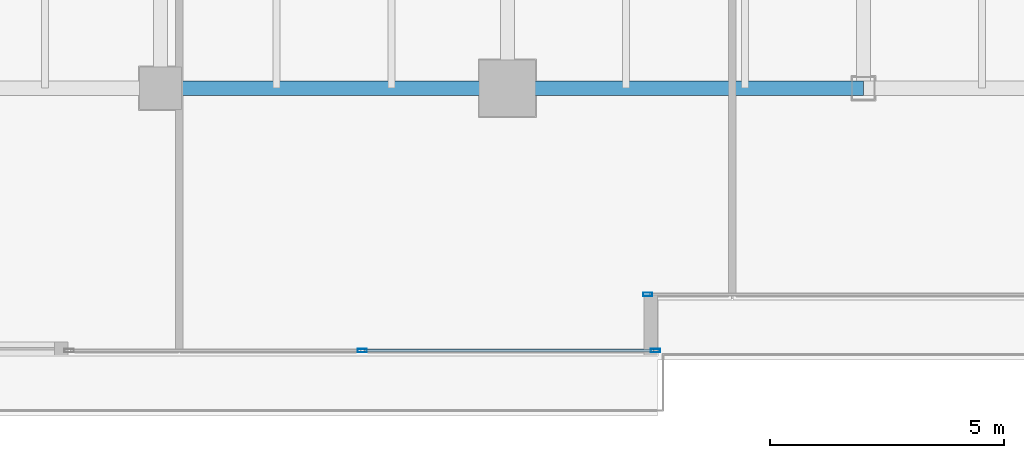
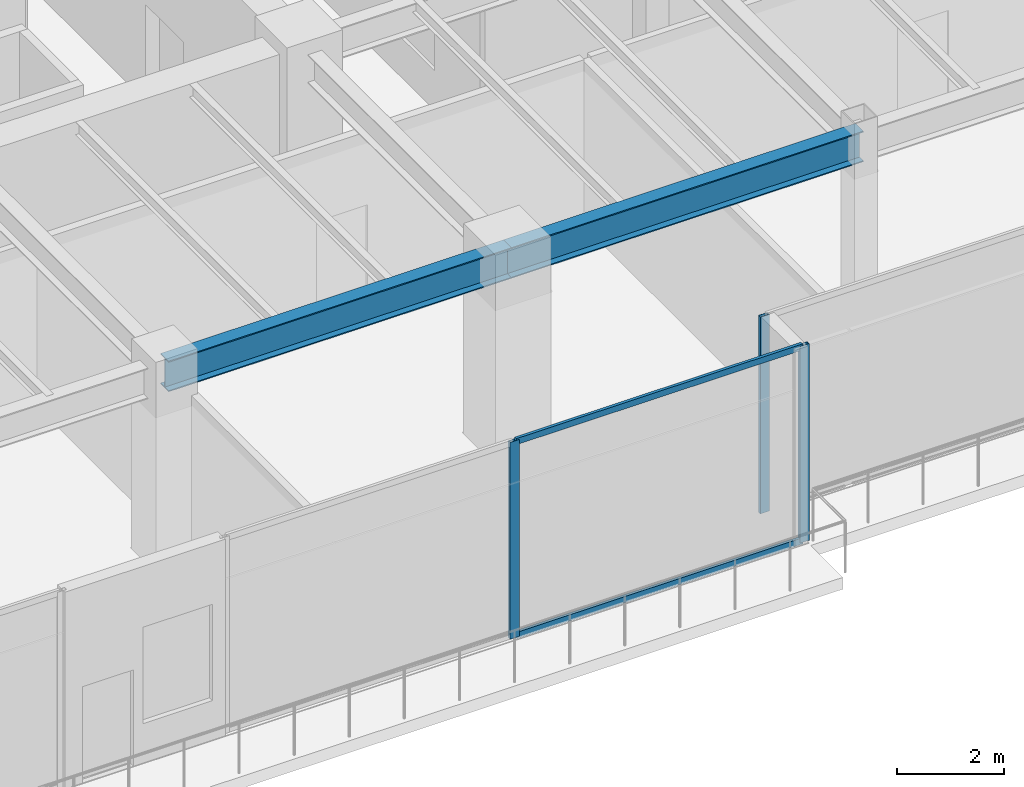
# One storey, part 4 of 33: 5 members, 2 beams, 2 elements without a shape of their own.
"""IFC4 building model written with IfcOpenShell, lengths in metres."""

from ifc_helpers import new_model, si_unit, direction, frame, origin, origin_2d, place, context, subcontext, project, spatial, hollow_rectangle, i_section, extrude, source, transform, mapped, material, layer, layer_set, material_profile, profile_set, type_object, type_shapes, element, aggregate, save


model = new_model("IFC4")

# Units and contexts
model_context = context("Model", 3, precision=1e-05, world=origin(), true_north=direction((0.0, 1.0)))
body_context = subcontext(model_context, "Body", "Model", "MODEL_VIEW")
ifc_project = project(units=[si_unit("LENGTHUNIT", "METRE"), si_unit("AREAUNIT", "SQUARE_METRE"), si_unit("VOLUMEUNIT", "CUBIC_METRE"), si_unit("PLANEANGLEUNIT", "RADIAN"), si_unit("MASSUNIT", "GRAM", prefix="KILO")], contexts=[model_context])

# Site, building, storey
site_placement = place(None, origin())
site = spatial("IfcSite", under=ifc_project, at=site_placement, CompositionType="ELEMENT")
building_placement = place(site_placement, origin())
building = spatial("IfcBuilding", under=site, at=building_placement, Name="Haelvirn Gate Laboratories", CompositionType="ELEMENT")
storey_placement = place(building_placement, frame((0.0, 0.0, 100.300048828125)))
storey = spatial("IfcBuildingStorey", under=building, at=storey_placement, Name="L24", CompositionType="ELEMENT", Elevation=100.300048828125)

# Beams
ifc_material_1 = material(Name="Steel SM355", Category="steel")
ifc_material_profile_1 = material_profile(ifc_material_1, i_section(OverallWidth=0.300048828125, OverallDepth=0.699951171875, WebThickness=0.012939453125, FlangeThickness=0.02392578125, at=origin_2d()), Name="H-700x300x13x24")
ifc_profile_set_1 = profile_set([ifc_material_profile_1], Name="Steel SM355")
beam_type = type_object("IfcBeamType", Name="BM-G-700", PredefinedType="BEAM", material=ifc_profile_set_1)
shared_shape_1 = source(origin(), body_context, "Body", "SweptSolid", [
    extrude(i_section(OverallWidth=0.300048828125, OverallDepth=0.699951171875, WebThickness=0.012939453125, FlangeThickness=0.02392578125, at=origin_2d()), origin(), (0.0, 0.0, 1.0), 7.39990234375),
])
beam_1_placement = place(storey_placement, frame((14.800048828125, 7.0, 4.139892578125), z_axis=(1.0, 0.0, 0.0), x_axis=(0.0, 1.0, 0.0)))
element("IfcBeam", 1, at=beam_1_placement, inside=storey, type_object=beam_type, Name="L24 Primary Girder Y7.0 (14.8-22.2)", PredefinedType="BEAM", context=body_context, shape_type="MappedRepresentation", body=[
    mapped(shared_shape_1, transform((0.0, 0.0, 0.0), scale=1.0)),
])
shared_shape_2 = source(origin(), body_context, "Body", "SweptSolid", [
    extrude(i_section(OverallWidth=0.300048828125, OverallDepth=0.699951171875, WebThickness=0.012939453125, FlangeThickness=0.02392578125, at=origin_2d()), origin(), (0.0, 0.0, 1.0), 7.60009765625),
])
type_shapes(beam_type, [shared_shape_1, shared_shape_2])
beam_2_placement = place(storey_placement, frame((22.199951171875, 7.0, 4.139892578125), z_axis=(1.0, 0.0, 0.0), x_axis=(0.0, 1.0, 0.0)))
element("IfcBeam", 2, at=beam_2_placement, inside=storey, type_object=beam_type, Name="L24 Primary Girder Y7.0 (22.2-29.8)", PredefinedType="BEAM", context=body_context, shape_type="MappedRepresentation", body=[
    mapped(shared_shape_2, transform((0.0, 0.0, 0.0), scale=1.0)),
])

# Curtain wall, members
ifc_material_2 = material(Name="Anodised bronze unitised aluminium & triple low-E glass", Category="aluminium")
ifc_layer = layer(ifc_material_2, 0.179931640625, Name="CW-SYS-3")
ifc_layer_set = layer_set([ifc_layer], Name="Anodised bronze unitised aluminium & triple low-E glass")
curtain_wall_type = type_object("IfcCurtainWallType", Name="CW-SYS-3", PredefinedType="NOTDEFINED", material=ifc_layer_set)
curtain_wall_1_placement = place(storey_placement, origin())
curtain_wall_1 = element("IfcCurtainWall", 3, at=curtain_wall_1_placement, inside=storey, type_object=curtain_wall_type, Name="L24 Unitised Curtain Wall CW-L24-P0-E00-2", PredefinedType="NOTDEFINED")
ifc_material_3 = material(Name="Extruded aluminium 6063-T6 (anodised bronze)", Category="aluminium")
ifc_material_profile_2 = material_profile(ifc_material_3, hollow_rectangle(XDim=0.074951171875, YDim=0.199951171875, WallThickness=0.0048828125, at=origin_2d()), Name="CWM-200x75x5")
ifc_profile_set_2 = profile_set([ifc_material_profile_2], Name="Extruded aluminium 6063-T6 (anodised bronze)")
member_type_1 = type_object("IfcMemberType", Name="CWM-T200", PredefinedType="MULLION", material=ifc_profile_set_2)
shared_shape_3 = source(origin(), body_context, "Body", "SweptSolid", [
    extrude(hollow_rectangle(XDim=0.074951171875, YDim=0.199951171875, WallThickness=0.0048828125, at=origin_2d()), origin(), (0.0, 0.0, 1.0), 4.489990234375),
])
type_shapes(member_type_1, [shared_shape_3])
member_1_placement = place(storey_placement, frame((19.10498046875, 1.39990234375, 0.0), z_axis=(0.0, 0.0, 1.0), x_axis=(0.0, 1.0, 0.0)))
member_1 = element("IfcMember", 4, at=member_1_placement, type_object=member_type_1, Name="CW3 mullion 2", PredefinedType="MULLION", context=body_context, shape_type="MappedRepresentation", body=[
    mapped(shared_shape_3, transform((0.0, 0.0, 0.0), scale=1.0)),
])
member_2_placement = place(storey_placement, frame((25.362548828125, 1.39990234375, 0.0), z_axis=(0.0, 0.0, 1.0), x_axis=(0.0, 1.0, 0.0)))
member_2 = element("IfcMember", 5, at=member_2_placement, type_object=member_type_1, Name="CW3 mullion 3", PredefinedType="MULLION", context=body_context, shape_type="MappedRepresentation", body=[
    mapped(shared_shape_3, transform((0.0, 0.0, 0.0), scale=1.0)),
])

# Curtain wall, member
curtain_wall_2_placement = place(storey_placement, origin())
curtain_wall_2 = element("IfcCurtainWall", 6, at=curtain_wall_2_placement, inside=storey, type_object=curtain_wall_type, Name="L24 Unitised Curtain Wall CW-L24-P0-E02-1", PredefinedType="NOTDEFINED")
member_3_placement = place(storey_placement, frame((25.197509765625, 2.60009765625, 0.0), z_axis=(0.0, 0.0, 1.0), x_axis=(0.0, 1.0, 0.0)))
member_3 = element("IfcMember", 7, at=member_3_placement, type_object=member_type_1, Name="CW3 mullion 1", PredefinedType="MULLION", context=body_context, shape_type="MappedRepresentation", body=[
    mapped(shared_shape_3, transform((0.0, 0.0, 0.0), scale=1.0)),
])
aggregate(curtain_wall_2, [member_3])

# Member
ifc_material_profile_3 = material_profile(ifc_material_3, hollow_rectangle(XDim=0.06494140625, YDim=0.139892578125, WallThickness=0.00390625, at=origin_2d()), Name="CWT-140x65x4")
ifc_profile_set_3 = profile_set([ifc_material_profile_3], Name="Extruded aluminium 6063-T6 (anodised bronze)")
member_type_2 = type_object("IfcMemberType", Name="CWT-T140", PredefinedType="USERDEFINED", material=ifc_profile_set_3)
shared_shape_4 = source(origin(), body_context, "Body", "SweptSolid", [
    extrude(hollow_rectangle(XDim=0.06494140625, YDim=0.139892578125, WallThickness=0.00390625, at=origin_2d()), origin(), (0.0, 0.0, 1.0), 6.182373046875),
])
type_shapes(member_type_2, [shared_shape_4])
member_4_placement = place(storey_placement, frame((19.142578125, 1.39990234375, 0.032470703125), z_axis=(1.0, 0.0, 0.0), x_axis=(0.0, 1.0, 0.0)))
member_4 = element("IfcMember", 8, at=member_4_placement, type_object=member_type_2, Name="CW3 transom 2.1", ObjectType="TRANSOM", PredefinedType="USERDEFINED", context=body_context, shape_type="MappedRepresentation", body=[
    mapped(shared_shape_4, transform((0.0, 0.0, 0.0), scale=1.0)),
])

member_5_placement = place(storey_placement, frame((19.142578125, 1.39990234375, 4.45751953125), z_axis=(1.0, 0.0, 0.0), x_axis=(0.0, 1.0, 0.0)))
member_5 = element("IfcMember", 9, at=member_5_placement, type_object=member_type_2, Name="CW3 transom 2.2", ObjectType="TRANSOM", PredefinedType="USERDEFINED", context=body_context, shape_type="MappedRepresentation", body=[
    mapped(shared_shape_4, transform((0.0, 0.0, 0.0), scale=1.0)),
])

aggregate(curtain_wall_1, [member_1, member_2, member_4, member_5])

save(model, "model.ifc")
